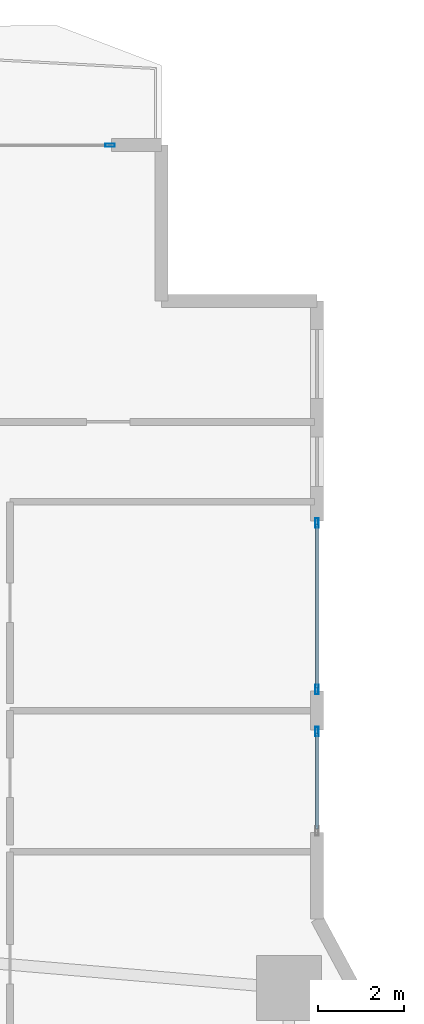
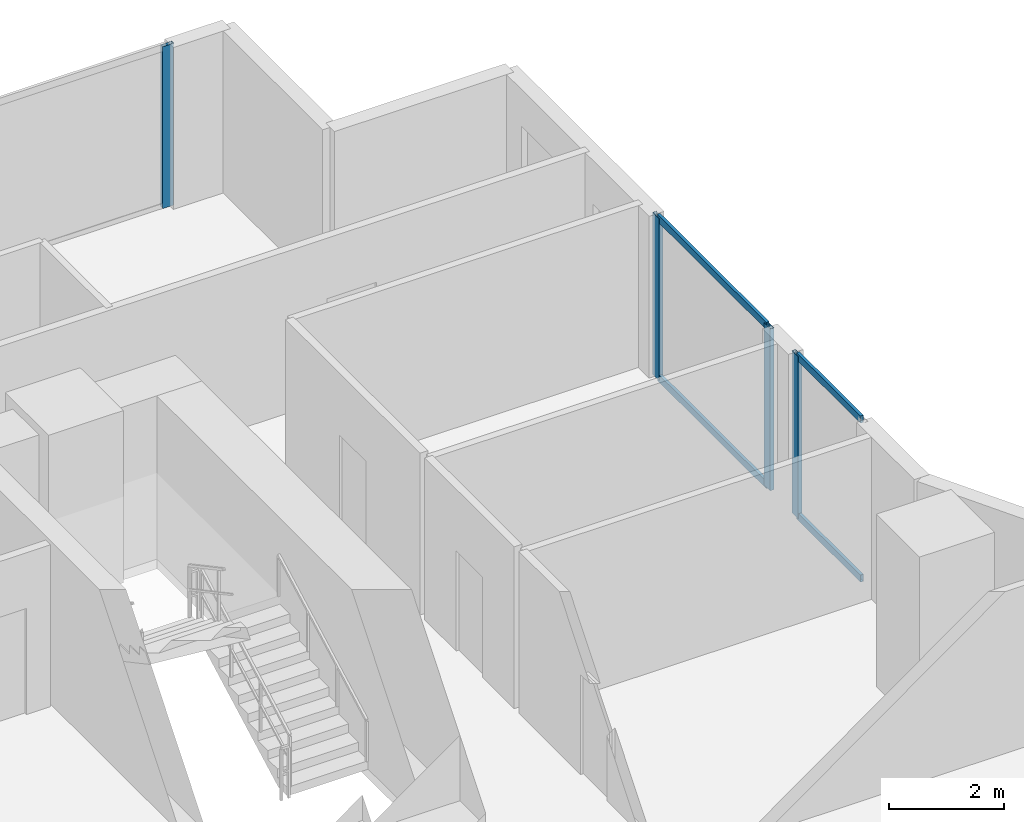
# One storey, part 17 of 29: 8 members, 3 elements without a shape of their own.
"""IFC4 building model written with IfcOpenShell, lengths in metres."""

from ifc_helpers import new_model, si_unit, direction, frame, origin, origin_2d, place, context, subcontext, project, spatial, hollow_rectangle, extrude, material, layer, layer_set, material_profile, profile_set, type_object, element, aggregate, save


model = new_model("IFC4")

# Units and contexts
model_context = context("Model", 3, precision=1e-05, world=origin(), true_north=direction((0.0, 1.0)))
body_context = subcontext(model_context, "Body", "Model", "MODEL_VIEW")
ifc_project = project(units=[si_unit("LENGTHUNIT", "METRE"), si_unit("AREAUNIT", "SQUARE_METRE"), si_unit("VOLUMEUNIT", "CUBIC_METRE"), si_unit("PLANEANGLEUNIT", "RADIAN"), si_unit("MASSUNIT", "GRAM", prefix="KILO")], contexts=[model_context])

# Site, building, storey
site_placement = place(None, origin())
site = spatial("IfcSite", under=ifc_project, at=site_placement, CompositionType="ELEMENT")
building_placement = place(site_placement, origin())
building = spatial("IfcBuilding", under=site, at=building_placement, Name="Zuhayl Quay Hotel", CompositionType="ELEMENT")
storey_placement = place(building_placement, frame((0.0, 0.0, 64.10009765625)))
storey = spatial("IfcBuildingStorey", under=building, at=storey_placement, Name="L15", CompositionType="ELEMENT", Elevation=64.10009765625)

# Curtain wall, member
ifc_material_1 = material(Name="Anodised Aluminium 6063-T6", Category="aluminium")
ifc_layer = layer(ifc_material_1, 0.18994140625, Name="Anodised Aluminium 6063-T6", Category="aluminium")
ifc_layer_set = layer_set([ifc_layer], Name="Anodised Aluminium 6063-T6")
curtain_wall_type = type_object("IfcCurtainWallType", Name="CW_SYS_Z1", PredefinedType="USERDEFINED", material=ifc_layer_set)
curtain_wall_1_placement = place(storey_placement, origin())
curtain_wall_1 = element("IfcCurtainWall", 1, at=curtain_wall_1_placement, inside=storey, type_object=curtain_wall_type, Name="L15 Curtain Wall ENV_L15_N_CW6", ObjectType="UNITISED CURTAIN WALL", PredefinedType="USERDEFINED")
ifc_material_2 = material(Name="Black-anodised aluminium 6063-T6", Category="aluminium")
ifc_material_profile_1 = material_profile(ifc_material_2, hollow_rectangle(XDim=0.074951171875, YDim=0.219970703125, WallThickness=0.00390625, at=origin_2d()), Name="ALU220X75")
ifc_profile_set_1 = profile_set([ifc_material_profile_1], Name="Black-anodised aluminium 6063-T6")
member_type_1 = type_object("IfcMemberType", Name="MB_CW_MUL_220", PredefinedType="MULLION", material=ifc_profile_set_1)
member_1_placement = place(storey_placement, frame((20.91259765625, 23.10009765625, 0.0), z_axis=(0.0, 0.0, 1.0), x_axis=(0.0, 1.0, 0.0)))
member_1 = element("IfcMember", 2, at=member_1_placement, type_object=member_type_1, Name="CW-Z1 mullion 2", PredefinedType="MULLION", context=body_context, shape_type="SweptSolid", body=[
    extrude(hollow_rectangle(XDim=0.074951171875, YDim=0.219970703125, WallThickness=0.00390625, at=origin_2d()), origin(), (0.0, 0.0, 1.0), 3.429931640625),
])
aggregate(curtain_wall_1, [member_1])

# Curtain wall, members
curtain_wall_2_placement = place(storey_placement, origin())
curtain_wall_2 = element("IfcCurtainWall", 3, at=curtain_wall_2_placement, inside=storey, type_object=curtain_wall_type, Name="L15 Curtain Wall ENV_L15_E11_CW1", ObjectType="UNITISED CURTAIN WALL", PredefinedType="USERDEFINED")
member_2_placement = place(storey_placement, frame((25.699951171875, 14.362548828125, 0.0), z_axis=(0.0, 0.0, 1.0), x_axis=(1.0, 0.0, 0.0)))
member_2 = element("IfcMember", 4, at=member_2_placement, type_object=member_type_1, Name="CW-Z1 mullion 1", PredefinedType="MULLION", context=body_context, shape_type="SweptSolid", body=[
    extrude(hollow_rectangle(XDim=0.074951171875, YDim=0.219970703125, WallThickness=0.00390625, at=origin_2d()), origin(), (0.0, 0.0, 1.0), 3.429931640625),
])
member_3_placement = place(storey_placement, frame((25.699951171875, 10.507568359375, 0.0), z_axis=(0.0, 0.0, 1.0), x_axis=(1.0, 0.0, 0.0)))
member_3 = element("IfcMember", 5, at=member_3_placement, type_object=member_type_1, Name="CW-Z1 mullion 2", PredefinedType="MULLION", context=body_context, shape_type="SweptSolid", body=[
    extrude(hollow_rectangle(XDim=0.074951171875, YDim=0.219970703125, WallThickness=0.00390625, at=origin_2d()), origin(), (0.0, 0.0, 1.0), 3.429931640625),
])

# Curtain wall, member
curtain_wall_3_placement = place(storey_placement, origin())
curtain_wall_3 = element("IfcCurtainWall", 6, at=curtain_wall_3_placement, inside=storey, type_object=curtain_wall_type, Name="L15 Curtain Wall ENV_L15_E11_CW2", ObjectType="UNITISED CURTAIN WALL", PredefinedType="USERDEFINED")
member_4_placement = place(storey_placement, frame((25.699951171875, 9.532470703125, 0.0), z_axis=(0.0, 0.0, 1.0), x_axis=(1.0, 0.0, 0.0)))
member_4 = element("IfcMember", 7, at=member_4_placement, type_object=member_type_1, Name="CW-Z1 mullion 1", PredefinedType="MULLION", context=body_context, shape_type="SweptSolid", body=[
    extrude(hollow_rectangle(XDim=0.074951171875, YDim=0.219970703125, WallThickness=0.00390625, at=origin_2d()), origin(), (0.0, 0.0, 1.0), 3.429931640625),
])

# Member
ifc_material_profile_2 = material_profile(ifc_material_2, hollow_rectangle(XDim=0.06005859375, YDim=0.14990234375, WallThickness=0.00341796875, at=origin_2d()), Name="ALU150X60")
ifc_profile_set_2 = profile_set([ifc_material_profile_2], Name="Black-anodised aluminium 6063-T6")
member_type_2 = type_object("IfcMemberType", Name="MB_CW_TRN_150", PredefinedType="USERDEFINED", material=ifc_profile_set_2)
member_5_placement = place(storey_placement, frame((25.699951171875, 14.324951171875, 0.02978515625), z_axis=(0.0, -1.0, 0.0), x_axis=(1.0, 0.0, 0.0)))
member_5 = element("IfcMember", 8, at=member_5_placement, type_object=member_type_2, Name="CW-Z1 transom 1.1", ObjectType="TRANSOM", PredefinedType="USERDEFINED", context=body_context, shape_type="SweptSolid", body=[
    extrude(hollow_rectangle(XDim=0.06005859375, YDim=0.14990234375, WallThickness=0.00341796875, at=origin_2d()), origin(), (0.0, 0.0, 1.0), 3.780029296875),
])

member_6_placement = place(storey_placement, frame((25.699951171875, 14.324951171875, 3.39990234375), z_axis=(0.0, -1.0, 0.0), x_axis=(1.0, 0.0, 0.0)))
member_6 = element("IfcMember", 9, at=member_6_placement, type_object=member_type_2, Name="CW-Z1 transom 1.2", ObjectType="TRANSOM", PredefinedType="USERDEFINED", context=body_context, shape_type="SweptSolid", body=[
    extrude(hollow_rectangle(XDim=0.06005859375, YDim=0.14990234375, WallThickness=0.00341796875, at=origin_2d()), origin(), (0.0, 0.0, 1.0), 3.780029296875),
])

aggregate(curtain_wall_2, [member_2, member_3, member_5, member_6])

member_7_placement = place(storey_placement, frame((25.699951171875, 9.4951171875, 0.02978515625), z_axis=(0.0, -1.0, 0.0), x_axis=(1.0, 0.0, 0.0)))
member_7 = element("IfcMember", 10, at=member_7_placement, type_object=member_type_2, Name="CW-Z1 transom 1.1", ObjectType="TRANSOM", PredefinedType="USERDEFINED", context=body_context, shape_type="SweptSolid", body=[
    extrude(hollow_rectangle(XDim=0.06005859375, YDim=0.14990234375, WallThickness=0.00341796875, at=origin_2d()), origin(), (0.0, 0.0, 1.0), 2.22021484375),
])

member_8_placement = place(storey_placement, frame((25.699951171875, 9.4951171875, 3.39990234375), z_axis=(0.0, -1.0, 0.0), x_axis=(1.0, 0.0, 0.0)))
member_8 = element("IfcMember", 11, at=member_8_placement, type_object=member_type_2, Name="CW-Z1 transom 1.2", ObjectType="TRANSOM", PredefinedType="USERDEFINED", context=body_context, shape_type="SweptSolid", body=[
    extrude(hollow_rectangle(XDim=0.06005859375, YDim=0.14990234375, WallThickness=0.00341796875, at=origin_2d()), origin(), (0.0, 0.0, 1.0), 2.22021484375),
])

aggregate(curtain_wall_3, [member_4, member_7, member_8])

save(model, "model.ifc")
